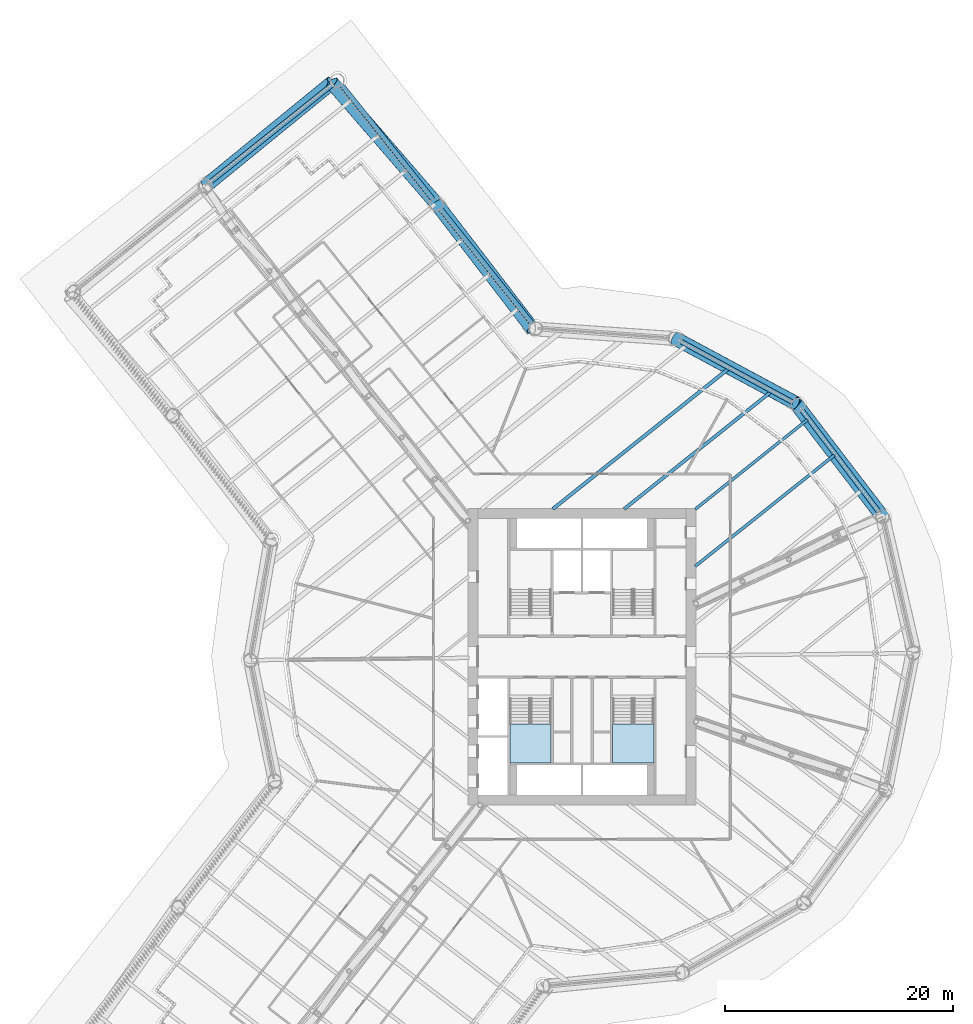
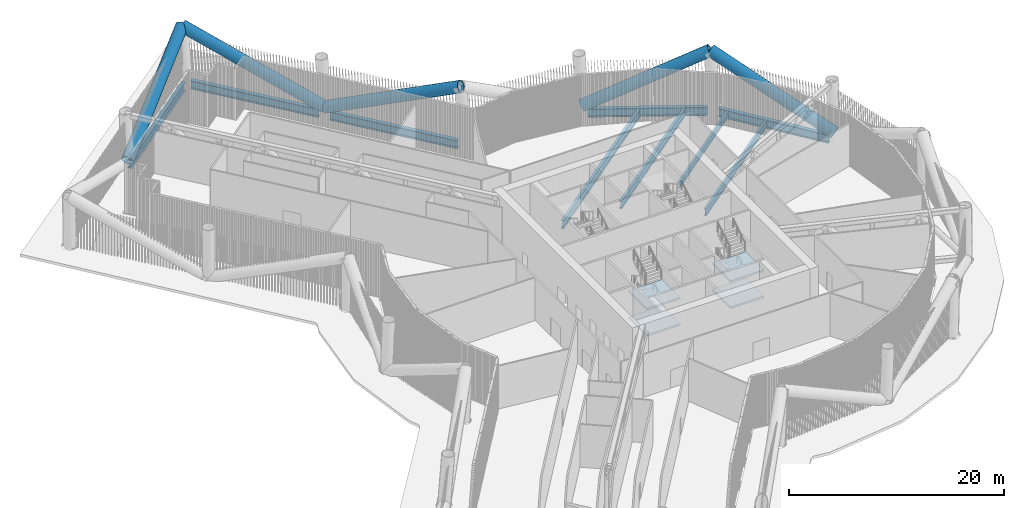
# One storey, part 13 of 48: 9 beams, 5 members, 4 slabs, 2 elements without a shape of their own.
"""IFC4 building model written with IfcOpenShell, lengths in metres."""

from ifc_helpers import new_model, si_unit, direction, frame, origin, origin_2d, place, context, subcontext, project, spatial, polyline, hollow_circle, i_section, outline, extrude, material, layer, layer_set, material_profile, profile_set, type_object, element, aggregate, save


model = new_model("IFC4")

# Units and contexts
model_context = context("Model", 3, precision=1e-05, world=origin(), true_north=direction((0.0, 1.0)))
body_context = subcontext(model_context, "Body", "Model", "MODEL_VIEW")
ifc_project = project(units=[si_unit("LENGTHUNIT", "METRE"), si_unit("AREAUNIT", "SQUARE_METRE"), si_unit("VOLUMEUNIT", "CUBIC_METRE"), si_unit("PLANEANGLEUNIT", "RADIAN"), si_unit("MASSUNIT", "GRAM", prefix="KILO")], contexts=[model_context])

# Site, building, storey
site_placement = place(None, origin())
site = spatial("IfcSite", under=ifc_project, at=site_placement, CompositionType="ELEMENT")
building_placement = place(site_placement, origin())
building = spatial("IfcBuilding", under=site, at=building_placement, Name="Tarsis Ring Headquarters", CompositionType="ELEMENT")
storey_placement = place(building_placement, frame((0.0, 0.0, 34.0)))
storey = spatial("IfcBuildingStorey", under=building, at=storey_placement, Name="L06", CompositionType="ELEMENT", Elevation=34.0)

# Beams
ifc_material_1 = material(Name="Structural steel S355", Category="steel")
ifc_material_profile_1 = material_profile(ifc_material_1, i_section(OverallWidth=0.2529296875, OverallDepth=0.67822265625, WebThickness=0.01171875, FlangeThickness=0.016357421875, at=origin_2d()), Name="W27x84")
ifc_profile_set_1 = profile_set([ifc_material_profile_1], Name="Structural steel S355")
beam_type_1 = type_object("IfcBeamType", Name="FB Floor beam W27x84", PredefinedType="JOIST", material=ifc_profile_set_1)
beam_1_placement = place(storey_placement, frame((19.757568359375, 20.762451171875, -0.63916015625), z_axis=(-0.781526994722, -0.623871426273, 0.0), x_axis=(0.623871426273, -0.781526994722, 0.0)))
element("IfcBeam", 1, at=beam_1_placement, inside=storey, type_object=beam_type_1, Name="Floor beam FB5", PredefinedType="JOIST", context=body_context, shape_type="SweptSolid", body=[
    extrude(i_section(OverallWidth=0.2529296875, OverallDepth=0.67822265625, WebThickness=0.01171875, FlangeThickness=0.016357421875, at=origin_2d()), origin(), (0.0, 0.0, 1.0), 12.585205078125),
])
ifc_material_profile_2 = material_profile(ifc_material_1, i_section(OverallWidth=0.2666015625, OverallDepth=0.7568359375, WebThickness=0.013916015625, FlangeThickness=0.019287109375, at=origin_2d()), Name="W30x108")
ifc_profile_set_2 = profile_set([ifc_material_profile_2], Name="Structural steel S355")
beam_type_2 = type_object("IfcBeamType", Name="FB Floor beam W30x108", PredefinedType="JOIST", material=ifc_profile_set_2)
beam_2_placement = place(storey_placement, frame((22.111572265625, 17.6513671875, -0.678466796875), z_axis=(-0.781518923579, -0.623881536903, 0.0), x_axis=(0.623881536903, -0.781518923579, 0.0)))
element("IfcBeam", 2, at=beam_2_placement, inside=storey, type_object=beam_type_2, Name="Floor beam FB6", PredefinedType="JOIST", context=body_context, shape_type="SweptSolid", body=[
    extrude(i_section(OverallWidth=0.2666015625, OverallDepth=0.7568359375, WebThickness=0.013916015625, FlangeThickness=0.019287109375, at=origin_2d()), origin(), (0.0, 0.0, 1.0), 15.597412109375),
])
ifc_material_profile_3 = material_profile(ifc_material_1, i_section(OverallWidth=0.2919921875, OverallDepth=0.835693359375, WebThickness=0.013916015625, FlangeThickness=0.018798828125, at=origin_2d()), Name="W33x118")
ifc_profile_set_3 = profile_set([ifc_material_profile_3], Name="Structural steel S355")
beam_type_3 = type_object("IfcBeamType", Name="FB Floor beam W33x118", PredefinedType="JOIST", material=ifc_profile_set_3)
beam_3_placement = place(storey_placement, frame((16.545166015625, 23.188232421875, -0.7177734375), z_axis=(-0.781519278355, -0.623881092484, 0.0), x_axis=(0.623881092484, -0.781519278355, 0.0)))
element("IfcBeam", 3, at=beam_3_placement, inside=storey, type_object=beam_type_3, Name="Floor beam FB7", PredefinedType="JOIST", context=body_context, shape_type="SweptSolid", body=[
    extrude(i_section(OverallWidth=0.2919921875, OverallDepth=0.835693359375, WebThickness=0.013916015625, FlangeThickness=0.018798828125, at=origin_2d()), origin(), (0.0, 0.0, 1.0), 16.4306640625),
])
ifc_material_profile_4 = material_profile(ifc_material_1, i_section(OverallWidth=0.3046875, OverallDepth=0.904296875, WebThickness=0.01513671875, FlangeThickness=0.02001953125, at=origin_2d()), Name="W36x135")
ifc_profile_set_4 = profile_set([ifc_material_profile_4], Name="Structural steel S355")
beam_type_4 = type_object("IfcBeamType", Name="FB Floor beam W36x135", PredefinedType="JOIST", material=ifc_profile_set_4)
beam_4_placement = place(storey_placement, frame((12.8271484375, 25.210693359375, -0.752197265625), z_axis=(-0.781513738548, -0.623888031991, 0.0), x_axis=(0.623888031991, -0.781513738548, 0.0)))
element("IfcBeam", 4, at=beam_4_placement, inside=storey, type_object=beam_type_4, Name="Floor beam FB8", PredefinedType="JOIST", context=body_context, shape_type="SweptSolid", body=[
    extrude(i_section(OverallWidth=0.3046875, OverallDepth=0.904296875, WebThickness=0.01513671875, FlangeThickness=0.02001953125, at=origin_2d()), origin(), (0.0, 0.0, 1.0), 19.672119140625),
])

# Members
ifc_material_2 = material(Name="Structural steel S460", Category="steel")
ifc_material_profile_5 = material_profile(ifc_material_2, hollow_circle(Radius=0.609619140625, WallThickness=0.050048828125, at=origin_2d()), Name="CHS 1219x50")
ifc_profile_set_5 = profile_set([ifc_material_profile_5], Name="Structural steel S460")
member_type = type_object("IfcMemberType", Name="TD Belt truss diagonal CHS 1219x50", PredefinedType="BRACE", material=ifc_profile_set_5)
member_1_placement = place(storey_placement, frame((26.339111328125, 12.25, 0.0), z_axis=(-0.54811393133, 0.716540203099, 0.431440906296), x_axis=(-0.794266134014, -0.607570002846, 0.0)))
element("IfcMember", 5, at=member_1_placement, inside=storey, type_object=member_type, Name="Belt truss diagonal TD1", PredefinedType="BRACE", context=body_context, shape_type="SweptSolid", body=[
    extrude(hollow_circle(Radius=0.609619140625, WallThickness=0.050048828125, at=origin_2d()), origin(), (0.0, 0.0, 1.0), 13.906982421875),
])
member_2_placement = place(storey_placement, frame((8.188232421875, 27.87060546875, 0.0), z_axis=(0.787290575973, -0.422928612443, 0.448670188181), x_axis=(0.473234684679, 0.88093639567, 0.0)))
element("IfcMember", 6, at=member_2_placement, inside=storey, type_object=member_type, Name="Belt truss diagonal TD1", PredefinedType="BRACE", context=body_context, shape_type="SweptSolid", body=[
    extrude(hollow_circle(Radius=0.609619140625, WallThickness=0.050048828125, at=origin_2d()), origin(), (0.0, 0.0, 1.0), 13.372802734375),
])
member_3_placement = place(storey_placement, frame((-12.700927734375, 39.6328125, 0.0), z_axis=(0.558036256791, -0.727092293644, 0.399915406844), x_axis=(0.793290779951, 0.608842950559, 0.0)))
element("IfcMember", 7, at=member_3_placement, inside=storey, type_object=member_type, Name="Belt truss diagonal TD1", PredefinedType="BRACE", context=body_context, shape_type="SweptSolid", body=[
    extrude(hollow_circle(Radius=0.609619140625, WallThickness=0.050048828125, at=origin_2d()), origin(), (0.0, 0.0, 1.0), 15.003173828125),
])
member_4_placement = place(storey_placement, frame((-12.700927734375, 39.6328125, 0.0), z_axis=(-0.601704614815, 0.695695515322, 0.392376485624), x_axis=(-0.756351334457, -0.654165620363, 0.0)))
element("IfcMember", 8, at=member_4_placement, inside=storey, type_object=member_type, Name="Belt truss diagonal TD1", PredefinedType="BRACE", context=body_context, shape_type="SweptSolid", body=[
    extrude(hollow_circle(Radius=0.609619140625, WallThickness=0.050048828125, at=origin_2d()), origin(), (0.0, 0.0, 1.0), 15.29150390625),
])
member_5_placement = place(storey_placement, frame((-32.94091796875, 41.26416015625, 0.0), z_axis=(0.714081504115, 0.582623293741, 0.388120732597), x_axis=(-0.632180877076, 0.774820842943, 0.0)))
element("IfcMember", 9, at=member_5_placement, inside=storey, type_object=member_type, Name="Belt truss diagonal TD1", PredefinedType="BRACE", context=body_context, shape_type="SweptSolid", body=[
    extrude(hollow_circle(Radius=0.609619140625, WallThickness=0.050048828125, at=origin_2d()), origin(), (0.0, 0.0, 1.0), 15.459228515625),
])

# Beams
ifc_material_profile_6 = material_profile(ifc_material_1, i_section(OverallWidth=0.42431640625, OverallDepth=0.947509765625, WebThickness=0.02392578125, FlangeThickness=0.042724609375, at=origin_2d()), Name="W36x302")
ifc_profile_set_6 = profile_set([ifc_material_profile_6], Name="Structural steel S355")
beam_type_5 = type_object("IfcBeamType", Name="XG Ring girder W36x302", PredefinedType="BEAM", material=ifc_profile_set_6)
for number, where, z_axis, x_axis, name in (
    (10, (26.008056640625, 12.6875, -0.773681640625), (-0.603388867105, 0.797447098592, 0.0), (-0.797447098592, -0.603388867105, 0.0), "Ring girder XG1"),
    (11, (18.46630859375, 22.27978515625, -0.773681640625), (-0.878450530547, 0.477833302922, 0.0), (-0.477833302922, -0.878450530547, 0.0), "Ring girder XG1"),
):
    element("IfcBeam", number, at=place(storey_placement, frame(where, z_axis=z_axis, x_axis=x_axis)), inside=storey, type_object=beam_type_5, Name=name, PredefinedType="BEAM", context=body_context, shape_type="SweptSolid", body=[
        extrude(i_section(OverallWidth=0.42431640625, OverallDepth=0.947509765625, WebThickness=0.02392578125, FlangeThickness=0.042724609375, at=origin_2d()), origin(), (0.0, 0.0, 1.0), 11.151611328125),
    ])
for number, where, z_axis, x_axis, name in (
    (12, (-4.369873046875, 29.19677734375, -0.773681640625), (-0.623880911374, 0.781519422934, 0.0), (-0.781519422934, -0.623880911374, 0.0), "Ring girder XG1"),
    (13, (-13.043212890625, 40.0615234375, -0.773681640625), (-0.623880911374, 0.781519422934, 0.0), (-0.781519422934, -0.623880911374, 0.0), "Ring girder XG1"),
):
    element("IfcBeam", number, at=place(storey_placement, frame(where, z_axis=z_axis, x_axis=x_axis)), inside=storey, type_object=beam_type_5, Name=name, PredefinedType="BEAM", context=body_context, shape_type="SweptSolid", body=[
        extrude(i_section(OverallWidth=0.42431640625, OverallDepth=0.947509765625, WebThickness=0.02392578125, FlangeThickness=0.042724609375, at=origin_2d()), origin(), (0.0, 0.0, 1.0), 12.804931640625),
    ])
beam_5_placement = place(storey_placement, frame((-21.80322265625, 50.155517578125, -0.773681640625), z_axis=(-0.781506337197, -0.623897303185, 0.0), x_axis=(0.623897303185, -0.781506337197, 0.0)))
element("IfcBeam", 14, at=beam_5_placement, inside=storey, type_object=beam_type_5, Name="Ring girder XG1", PredefinedType="BEAM", context=body_context, shape_type="SweptSolid", body=[
    extrude(i_section(OverallWidth=0.42431640625, OverallDepth=0.947509765625, WebThickness=0.02392578125, FlangeThickness=0.042724609375, at=origin_2d()), origin(), (0.0, 0.0, 1.0), 13.70263671875),
])

# Stair, slabs
ifc_material_3 = material(Name="Core stair 1760")
stair_type = type_object("IfcStairType", Name="Core stair 1760", PredefinedType="HALF_TURN_STAIR", material=ifc_material_3)
stair_1_placement = place(storey_placement, origin())
stair_1 = element("IfcStair", 15, at=stair_1_placement, inside=storey, type_object=stair_type, Name="L06 Exit stair C", PredefinedType="HALF_TURN_STAIR")
ifc_material_4 = material(Name="Concrete C40/50", Category="concrete")
ifc_layer = layer(ifc_material_4, 0.199951171875)
ifc_layer_set = layer_set([ifc_layer], Name="Core stair landing 200")
slab_type = type_object("IfcSlabType", Name="Core stair landing 200", PredefinedType="LANDING", material=ifc_layer_set)
slab_1_placement = place(storey_placement, frame((0.0, 0.0, 1.300048828125)))
slab_1 = element("IfcSlab", 16, at=slab_1_placement, type_object=slab_type, Name="Stair ST3 landing 1", PredefinedType="LANDING", context=body_context, shape_type="SweptSolid", body=[
    extrude(outline(polyline([(-6.300048828125, -5.89990234375), (-6.300048828125, -9.300048828125), (-2.699951171875, -9.300048828125), (-2.699951171875, -5.89990234375), (-6.300048828125, -5.89990234375)])), origin(), (0.0, 0.0, 1.0), 0.199951171875),
])
slab_2_placement = place(storey_placement, frame((0.0, 0.0, 4.300048828125)))
slab_2 = element("IfcSlab", 17, at=slab_2_placement, type_object=slab_type, Name="Stair ST3 landing 3", PredefinedType="LANDING", context=body_context, shape_type="SweptSolid", body=[
    extrude(outline(polyline([(-6.300048828125, -5.89990234375), (-6.300048828125, -9.300048828125), (-2.699951171875, -9.300048828125), (-2.699951171875, -5.89990234375), (-6.300048828125, -5.89990234375)])), origin(), (0.0, 0.0, 1.0), 0.199951171875),
])
aggregate(stair_1, [slab_1, slab_2])

stair_2_placement = place(storey_placement, origin())
stair_2 = element("IfcStair", 18, at=stair_2_placement, inside=storey, type_object=stair_type, Name="L06 Exit stair D", PredefinedType="HALF_TURN_STAIR")
slab_3_placement = place(storey_placement, frame((0.0, 0.0, 1.300048828125)))
slab_3 = element("IfcSlab", 19, at=slab_3_placement, type_object=slab_type, Name="Stair ST4 landing 1", PredefinedType="LANDING", context=body_context, shape_type="SweptSolid", body=[
    extrude(outline(polyline([(2.699951171875, -5.89990234375), (2.699951171875, -9.300048828125), (6.300048828125, -9.300048828125), (6.300048828125, -5.89990234375), (2.699951171875, -5.89990234375)])), origin(), (0.0, 0.0, 1.0), 0.199951171875),
])
slab_4_placement = place(storey_placement, frame((0.0, 0.0, 4.300048828125)))
slab_4 = element("IfcSlab", 20, at=slab_4_placement, type_object=slab_type, Name="Stair ST4 landing 3", PredefinedType="LANDING", context=body_context, shape_type="SweptSolid", body=[
    extrude(outline(polyline([(2.699951171875, -5.89990234375), (2.699951171875, -9.300048828125), (6.300048828125, -9.300048828125), (6.300048828125, -5.89990234375), (2.699951171875, -5.89990234375)])), origin(), (0.0, 0.0, 1.0), 0.199951171875),
])
aggregate(stair_2, [slab_3, slab_4])

save(model, "model.ifc")
